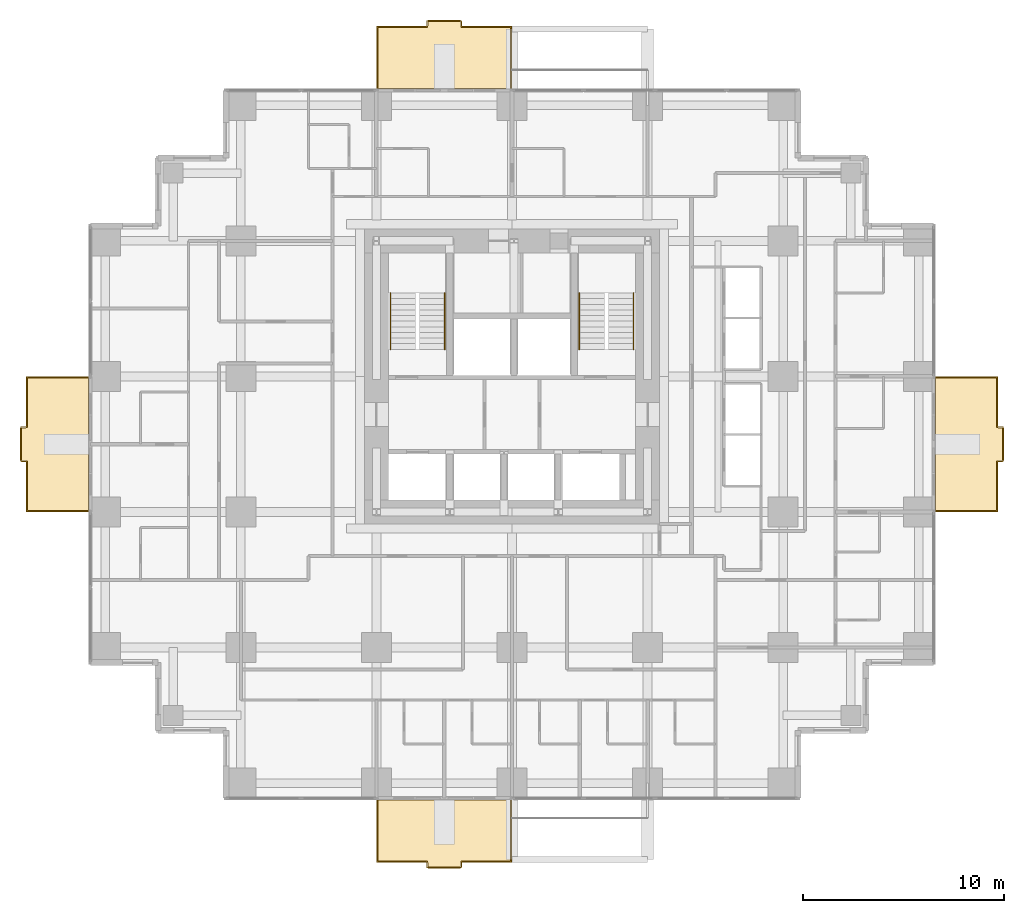
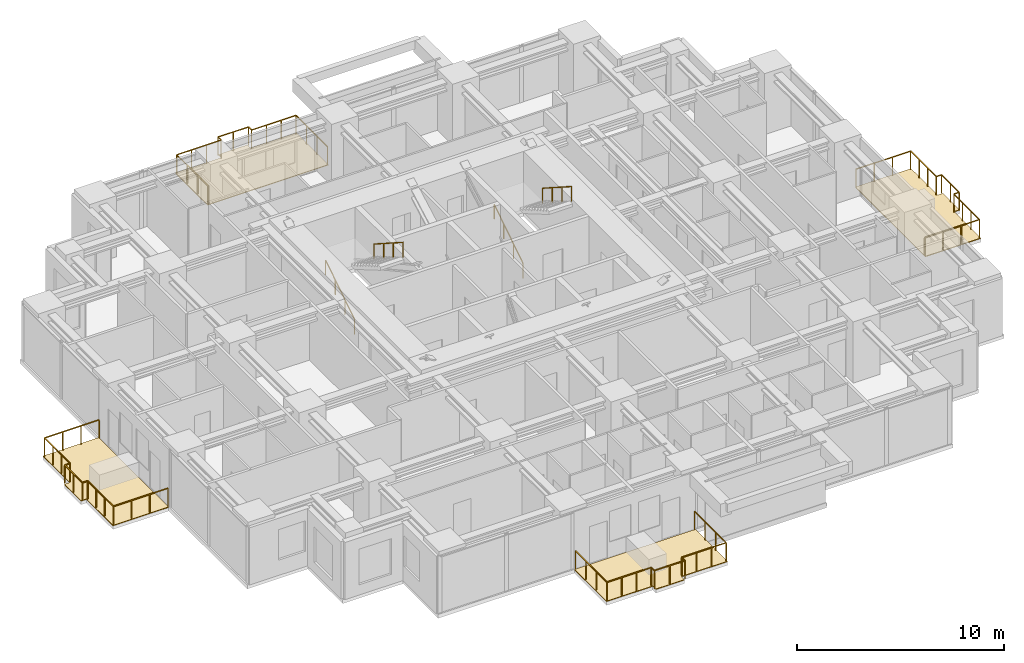
# One storey, part 13 of 13: 8 railings, 4 coverings.
"""IFC4 building model written with IfcOpenShell, lengths in metres."""

from ifc_helpers import new_model, si_unit, direction, frame, origin, origin_2d, place, context, subcontext, project, spatial, polyline, rectangle, outline, extrude, material, layer, layer_set, type_object, element, save


model = new_model("IFC4")

# Units and contexts
model_context = context("Model", 3, precision=1e-05, world=origin(), true_north=direction((0.0, 1.0)))
body_context = subcontext(model_context, "Body", "Model", "MODEL_VIEW")
ifc_project = project(units=[si_unit("LENGTHUNIT", "METRE"), si_unit("AREAUNIT", "SQUARE_METRE"), si_unit("VOLUMEUNIT", "CUBIC_METRE"), si_unit("PLANEANGLEUNIT", "RADIAN"), si_unit("MASSUNIT", "GRAM", prefix="KILO")], contexts=[model_context])

# Site, building, storey
site_placement = place(None, origin())
site = spatial("IfcSite", under=ifc_project, at=site_placement, CompositionType="ELEMENT")
building_placement = place(site_placement, origin())
building = spatial("IfcBuilding", under=site, at=building_placement, Name="Nyansa Garden Tower", CompositionType="ELEMENT")
storey_placement = place(building_placement, frame((0.0, 0.0, 123.300048828125)))
storey = spatial("IfcBuildingStorey", under=building, at=storey_placement, Name="L33", CompositionType="ELEMENT", Elevation=123.300048828125)

# Coverings
ifc_material_1 = material(Name="Hardwood decking on pedestals", Category="wood")
ifc_layer = layer(ifc_material_1, 0.0400390625)
ifc_layer_set = layer_set([ifc_layer], Name="Balcony decking DK40")
covering_type = type_object("IfcCoveringType", Name="Balcony decking DK40", PredefinedType="FLOORING", material=ifc_layer_set)
covering_1_placement = place(storey_placement, frame((0.0, 0.0, -0.0400390625)))
element("IfcCovering", 1, at=covering_1_placement, inside=storey, type_object=covering_type, Name="Balcony decking L33", PredefinedType="FLOORING", context=body_context, shape_type="SweptSolid", body=[
    extrude(outline(polyline([(13.5, -0.85009765625), (20.25, -0.85009765625), (20.25, -3.949951171875), (17.675048828125, -3.949951171875), (17.675048828125, -4.25), (16.074951171875, -4.25), (16.074951171875, -3.949951171875), (13.5, -3.949951171875), (13.5, -0.85009765625)])), origin(), (0.0, 0.0, 1.0), 0.0400390625),
])
covering_2_placement = place(storey_placement, frame((0.0, 0.0, -0.0400390625)))
element("IfcCovering", 2, at=covering_2_placement, inside=storey, type_object=covering_type, Name="Balcony decking L33", PredefinedType="FLOORING", context=body_context, shape_type="SweptSolid", body=[
    extrude(outline(polyline([(41.35009765625, 13.5), (41.35009765625, 20.25), (44.449951171875, 20.25), (44.449951171875, 17.675048828125), (44.75, 17.675048828125), (44.75, 16.074951171875), (44.449951171875, 16.074951171875), (44.449951171875, 13.5), (41.35009765625, 13.5)])), origin(), (0.0, 0.0, 1.0), 0.0400390625),
])
covering_3_placement = place(storey_placement, frame((0.0, 0.0, -0.0400390625)))
element("IfcCovering", 3, at=covering_3_placement, inside=storey, type_object=covering_type, Name="Balcony decking L33", PredefinedType="FLOORING", context=body_context, shape_type="SweptSolid", body=[
    extrude(outline(polyline([(13.5, 34.60009765625), (20.25, 34.60009765625), (20.25, 37.699951171875), (17.675048828125, 37.699951171875), (17.675048828125, 38.0), (16.074951171875, 38.0), (16.074951171875, 37.699951171875), (13.5, 37.699951171875), (13.5, 34.60009765625)])), origin(), (0.0, 0.0, 1.0), 0.0400390625),
])
covering_4_placement = place(storey_placement, frame((0.0, 0.0, -0.0400390625)))
element("IfcCovering", 4, at=covering_4_placement, inside=storey, type_object=covering_type, Name="Balcony decking L33", PredefinedType="FLOORING", context=body_context, shape_type="SweptSolid", body=[
    extrude(outline(polyline([(-0.85009765625, 13.5), (-0.85009765625, 20.25), (-3.949951171875, 20.25), (-3.949951171875, 17.675048828125), (-4.25, 17.675048828125), (-4.25, 16.074951171875), (-3.949951171875, 16.074951171875), (-3.949951171875, 13.5), (-0.85009765625, 13.5)])), origin(), (0.0, 0.0, 1.0), 0.0400390625),
])

# Railings
ifc_material_2 = material(Name="Black powder-coated steel balusters, laminated glass infill", Category="steel")
railing_type_1 = type_object("IfcRailingType", Name="Balcony guard G1", PredefinedType="GUARDRAIL", material=ifc_material_2)
railing_1_placement = place(storey_placement, frame((13.550048828125, -0.85009765625, 0.0)))
element("IfcRailing", 5, at=railing_1_placement, inside=storey, type_object=railing_type_1, Name="Balcony guard L33", PredefinedType="GUARDRAIL", context=body_context, shape_type="SweptSolid", body=[
    extrude(rectangle(XDim=0.048095703125, YDim=0.048095703125, at=origin_2d()), frame((0.0, 0.0, 1.076171875), z_axis=(0.0, -1.0, 0.0), x_axis=(1.0, 0.0, 0.0)), (0.0, 0.0, 1.0), 3.0498046875),
    extrude(rectangle(XDim=0.048095703125, YDim=0.048095703125, at=origin_2d()), frame((0.0, -3.0498046875, 1.076171875), z_axis=(1.0, 0.0, 0.0), x_axis=(0.0, 1.0, 0.0)), (0.0, 0.0, 1.0), 2.474853515625),
    extrude(rectangle(XDim=0.048095703125, YDim=0.048095703125, at=origin_2d()), frame((2.474853515625, -3.0498046875, 1.076171875), z_axis=(0.0, -1.0, 0.0), x_axis=(1.0, 0.0, 0.0)), (0.0, 0.0, 1.0), 0.300048828125),
    extrude(rectangle(XDim=0.048095703125, YDim=0.048095703125, at=origin_2d()), frame((2.474853515625, -3.349853515625, 1.076171875), z_axis=(1.0, 0.0, 0.0), x_axis=(0.0, 1.0, 0.0)), (0.0, 0.0, 1.0), 1.7001953125),
    extrude(rectangle(XDim=0.048095703125, YDim=0.048095703125, at=origin_2d()), frame((4.175048828125, -3.349853515625, 1.076171875), z_axis=(0.0, 1.0, 0.0), x_axis=(-1.0, 0.0, 0.0)), (0.0, 0.0, 1.0), 0.300048828125),
    extrude(rectangle(XDim=0.048095703125, YDim=0.048095703125, at=origin_2d()), frame((4.175048828125, -3.0498046875, 1.076171875), z_axis=(1.0, 0.0, 0.0), x_axis=(0.0, 1.0, 0.0)), (0.0, 0.0, 1.0), 2.474853515625),
    extrude(rectangle(XDim=0.048095703125, YDim=0.048095703125, at=origin_2d()), frame((6.64990234375, -3.0498046875, 1.076171875), z_axis=(0.0, 1.0, 0.0), x_axis=(-1.0, 0.0, 0.0)), (0.0, 0.0, 1.0), 3.0498046875),
    extrude(rectangle(XDim=0.0419921875, YDim=0.0419921875, at=origin_2d()), origin(), (0.0, 0.0, 1.0), 1.052001953125),
    extrude(rectangle(XDim=0.0419921875, YDim=0.0419921875, at=origin_2d()), frame((0.0, -1.0166015625, 0.0)), (0.0, 0.0, 1.0), 1.052001953125),
    extrude(rectangle(XDim=0.0419921875, YDim=0.0419921875, at=origin_2d()), frame((0.0, -2.033203125, 0.0)), (0.0, 0.0, 1.0), 1.052001953125),
    extrude(rectangle(XDim=0.0419921875, YDim=0.0419921875, at=origin_2d()), frame((0.0, -3.0498046875, 0.0)), (0.0, 0.0, 1.0), 1.052001953125),
    extrude(rectangle(XDim=0.0419921875, YDim=0.0419921875, at=origin_2d()), frame((0.824951171875, -3.0498046875, 0.0)), (0.0, 0.0, 1.0), 1.052001953125),
    extrude(rectangle(XDim=0.0419921875, YDim=0.0419921875, at=origin_2d()), frame((1.64990234375, -3.0498046875, 0.0)), (0.0, 0.0, 1.0), 1.052001953125),
    extrude(rectangle(XDim=0.0419921875, YDim=0.0419921875, at=origin_2d()), frame((2.474853515625, -3.0498046875, 0.0)), (0.0, 0.0, 1.0), 1.052001953125),
    extrude(rectangle(XDim=0.0419921875, YDim=0.0419921875, at=origin_2d()), frame((2.474853515625, -3.349853515625, 0.0)), (0.0, 0.0, 1.0), 1.052001953125),
    extrude(rectangle(XDim=0.0419921875, YDim=0.0419921875, at=origin_2d()), frame((3.324951171875, -3.349853515625, 0.0)), (0.0, 0.0, 1.0), 1.052001953125),
    extrude(rectangle(XDim=0.0419921875, YDim=0.0419921875, at=origin_2d()), frame((4.175048828125, -3.349853515625, 0.0)), (0.0, 0.0, 1.0), 1.052001953125),
    extrude(rectangle(XDim=0.0419921875, YDim=0.0419921875, at=origin_2d()), frame((4.175048828125, -3.0498046875, 0.0)), (0.0, 0.0, 1.0), 1.052001953125),
    extrude(rectangle(XDim=0.0419921875, YDim=0.0419921875, at=origin_2d()), frame((5.0, -3.0498046875, 0.0)), (0.0, 0.0, 1.0), 1.052001953125),
    extrude(rectangle(XDim=0.0419921875, YDim=0.0419921875, at=origin_2d()), frame((5.824951171875, -3.0498046875, 0.0)), (0.0, 0.0, 1.0), 1.052001953125),
    extrude(rectangle(XDim=0.0419921875, YDim=0.0419921875, at=origin_2d()), frame((6.64990234375, -3.0498046875, 0.0)), (0.0, 0.0, 1.0), 1.052001953125),
    extrude(rectangle(XDim=0.0419921875, YDim=0.0419921875, at=origin_2d()), frame((6.64990234375, -2.033203125, 0.0)), (0.0, 0.0, 1.0), 1.052001953125),
    extrude(rectangle(XDim=0.0419921875, YDim=0.0419921875, at=origin_2d()), frame((6.64990234375, -1.0166015625, 0.0)), (0.0, 0.0, 1.0), 1.052001953125),
    extrude(rectangle(XDim=0.0419921875, YDim=0.0419921875, at=origin_2d()), frame((6.64990234375, 0.0, 0.0)), (0.0, 0.0, 1.0), 1.052001953125),
])
railing_2_placement = place(storey_placement, frame((41.35009765625, 13.550048828125, 0.0)))
element("IfcRailing", 6, at=railing_2_placement, inside=storey, type_object=railing_type_1, Name="Balcony guard L33", PredefinedType="GUARDRAIL", context=body_context, shape_type="SweptSolid", body=[
    extrude(rectangle(XDim=0.048095703125, YDim=0.048095703125, at=origin_2d()), frame((0.0, 0.0, 1.076171875), z_axis=(1.0, 0.0, 0.0), x_axis=(0.0, 1.0, 0.0)), (0.0, 0.0, 1.0), 3.0498046875),
    extrude(rectangle(XDim=0.048095703125, YDim=0.048095703125, at=origin_2d()), frame((3.0498046875, 0.0, 1.076171875), z_axis=(0.0, 1.0, 0.0), x_axis=(-1.0, 0.0, 0.0)), (0.0, 0.0, 1.0), 2.474853515625),
    extrude(rectangle(XDim=0.048095703125, YDim=0.048095703125, at=origin_2d()), frame((3.0498046875, 2.474853515625, 1.076171875), z_axis=(1.0, 0.0, 0.0), x_axis=(0.0, 1.0, 0.0)), (0.0, 0.0, 1.0), 0.300048828125),
    extrude(rectangle(XDim=0.048095703125, YDim=0.048095703125, at=origin_2d()), frame((3.349853515625, 2.474853515625, 1.076171875), z_axis=(0.0, 1.0, 0.0), x_axis=(-1.0, 0.0, 0.0)), (0.0, 0.0, 1.0), 1.7001953125),
    extrude(rectangle(XDim=0.048095703125, YDim=0.048095703125, at=origin_2d()), frame((3.349853515625, 4.175048828125, 1.076171875), z_axis=(-1.0, 0.0, 0.0), x_axis=(0.0, -1.0, 0.0)), (0.0, 0.0, 1.0), 0.300048828125),
    extrude(rectangle(XDim=0.048095703125, YDim=0.048095703125, at=origin_2d()), frame((3.0498046875, 4.175048828125, 1.076171875), z_axis=(0.0, 1.0, 0.0), x_axis=(-1.0, 0.0, 0.0)), (0.0, 0.0, 1.0), 2.474853515625),
    extrude(rectangle(XDim=0.048095703125, YDim=0.048095703125, at=origin_2d()), frame((3.0498046875, 6.64990234375, 1.076171875), z_axis=(-1.0, 0.0, 0.0), x_axis=(0.0, -1.0, 0.0)), (0.0, 0.0, 1.0), 3.0498046875),
    extrude(rectangle(XDim=0.0419921875, YDim=0.0419921875, at=origin_2d()), origin(), (0.0, 0.0, 1.0), 1.052001953125),
    extrude(rectangle(XDim=0.0419921875, YDim=0.0419921875, at=origin_2d()), frame((1.0166015625, 0.0, 0.0)), (0.0, 0.0, 1.0), 1.052001953125),
    extrude(rectangle(XDim=0.0419921875, YDim=0.0419921875, at=origin_2d()), frame((2.033203125, 0.0, 0.0)), (0.0, 0.0, 1.0), 1.052001953125),
    extrude(rectangle(XDim=0.0419921875, YDim=0.0419921875, at=origin_2d()), frame((3.0498046875, 0.0, 0.0)), (0.0, 0.0, 1.0), 1.052001953125),
    extrude(rectangle(XDim=0.0419921875, YDim=0.0419921875, at=origin_2d()), frame((3.0498046875, 0.824951171875, 0.0)), (0.0, 0.0, 1.0), 1.052001953125),
    extrude(rectangle(XDim=0.0419921875, YDim=0.0419921875, at=origin_2d()), frame((3.0498046875, 1.64990234375, 0.0)), (0.0, 0.0, 1.0), 1.052001953125),
    extrude(rectangle(XDim=0.0419921875, YDim=0.0419921875, at=origin_2d()), frame((3.0498046875, 2.474853515625, 0.0)), (0.0, 0.0, 1.0), 1.052001953125),
    extrude(rectangle(XDim=0.0419921875, YDim=0.0419921875, at=origin_2d()), frame((3.349853515625, 2.474853515625, 0.0)), (0.0, 0.0, 1.0), 1.052001953125),
    extrude(rectangle(XDim=0.0419921875, YDim=0.0419921875, at=origin_2d()), frame((3.349853515625, 3.324951171875, 0.0)), (0.0, 0.0, 1.0), 1.052001953125),
    extrude(rectangle(XDim=0.0419921875, YDim=0.0419921875, at=origin_2d()), frame((3.349853515625, 4.175048828125, 0.0)), (0.0, 0.0, 1.0), 1.052001953125),
    extrude(rectangle(XDim=0.0419921875, YDim=0.0419921875, at=origin_2d()), frame((3.0498046875, 4.175048828125, 0.0)), (0.0, 0.0, 1.0), 1.052001953125),
    extrude(rectangle(XDim=0.0419921875, YDim=0.0419921875, at=origin_2d()), frame((3.0498046875, 5.0, 0.0)), (0.0, 0.0, 1.0), 1.052001953125),
    extrude(rectangle(XDim=0.0419921875, YDim=0.0419921875, at=origin_2d()), frame((3.0498046875, 5.824951171875, 0.0)), (0.0, 0.0, 1.0), 1.052001953125),
    extrude(rectangle(XDim=0.0419921875, YDim=0.0419921875, at=origin_2d()), frame((3.0498046875, 6.64990234375, 0.0)), (0.0, 0.0, 1.0), 1.052001953125),
    extrude(rectangle(XDim=0.0419921875, YDim=0.0419921875, at=origin_2d()), frame((2.033203125, 6.64990234375, 0.0)), (0.0, 0.0, 1.0), 1.052001953125),
    extrude(rectangle(XDim=0.0419921875, YDim=0.0419921875, at=origin_2d()), frame((1.0166015625, 6.64990234375, 0.0)), (0.0, 0.0, 1.0), 1.052001953125),
    extrude(rectangle(XDim=0.0419921875, YDim=0.0419921875, at=origin_2d()), frame((0.0, 6.64990234375, 0.0)), (0.0, 0.0, 1.0), 1.052001953125),
])
railing_3_placement = place(storey_placement, frame((13.550048828125, 34.60009765625, 0.0)))
element("IfcRailing", 7, at=railing_3_placement, inside=storey, type_object=railing_type_1, Name="Balcony guard L33", PredefinedType="GUARDRAIL", context=body_context, shape_type="SweptSolid", body=[
    extrude(rectangle(XDim=0.048095703125, YDim=0.048095703125, at=origin_2d()), frame((0.0, 0.0, 1.076171875), z_axis=(0.0, 1.0, 0.0), x_axis=(-1.0, 0.0, 0.0)), (0.0, 0.0, 1.0), 3.0498046875),
    extrude(rectangle(XDim=0.048095703125, YDim=0.048095703125, at=origin_2d()), frame((0.0, 3.0498046875, 1.076171875), z_axis=(1.0, 0.0, 0.0), x_axis=(0.0, 1.0, 0.0)), (0.0, 0.0, 1.0), 2.474853515625),
    extrude(rectangle(XDim=0.048095703125, YDim=0.048095703125, at=origin_2d()), frame((2.474853515625, 3.0498046875, 1.076171875), z_axis=(0.0, 1.0, 0.0), x_axis=(-1.0, 0.0, 0.0)), (0.0, 0.0, 1.0), 0.300048828125),
    extrude(rectangle(XDim=0.048095703125, YDim=0.048095703125, at=origin_2d()), frame((2.474853515625, 3.349853515625, 1.076171875), z_axis=(1.0, 0.0, 0.0), x_axis=(0.0, 1.0, 0.0)), (0.0, 0.0, 1.0), 1.7001953125),
    extrude(rectangle(XDim=0.048095703125, YDim=0.048095703125, at=origin_2d()), frame((4.175048828125, 3.349853515625, 1.076171875), z_axis=(0.0, -1.0, 0.0), x_axis=(1.0, 0.0, 0.0)), (0.0, 0.0, 1.0), 0.300048828125),
    extrude(rectangle(XDim=0.048095703125, YDim=0.048095703125, at=origin_2d()), frame((4.175048828125, 3.0498046875, 1.076171875), z_axis=(1.0, 0.0, 0.0), x_axis=(0.0, 1.0, 0.0)), (0.0, 0.0, 1.0), 2.474853515625),
    extrude(rectangle(XDim=0.048095703125, YDim=0.048095703125, at=origin_2d()), frame((6.64990234375, 3.0498046875, 1.076171875), z_axis=(0.0, -1.0, 0.0), x_axis=(1.0, 0.0, 0.0)), (0.0, 0.0, 1.0), 3.0498046875),
    extrude(rectangle(XDim=0.0419921875, YDim=0.0419921875, at=origin_2d()), origin(), (0.0, 0.0, 1.0), 1.052001953125),
    extrude(rectangle(XDim=0.0419921875, YDim=0.0419921875, at=origin_2d()), frame((0.0, 1.0166015625, 0.0)), (0.0, 0.0, 1.0), 1.052001953125),
    extrude(rectangle(XDim=0.0419921875, YDim=0.0419921875, at=origin_2d()), frame((0.0, 2.033203125, 0.0)), (0.0, 0.0, 1.0), 1.052001953125),
    extrude(rectangle(XDim=0.0419921875, YDim=0.0419921875, at=origin_2d()), frame((0.0, 3.0498046875, 0.0)), (0.0, 0.0, 1.0), 1.052001953125),
    extrude(rectangle(XDim=0.0419921875, YDim=0.0419921875, at=origin_2d()), frame((0.824951171875, 3.0498046875, 0.0)), (0.0, 0.0, 1.0), 1.052001953125),
    extrude(rectangle(XDim=0.0419921875, YDim=0.0419921875, at=origin_2d()), frame((1.64990234375, 3.0498046875, 0.0)), (0.0, 0.0, 1.0), 1.052001953125),
    extrude(rectangle(XDim=0.0419921875, YDim=0.0419921875, at=origin_2d()), frame((2.474853515625, 3.0498046875, 0.0)), (0.0, 0.0, 1.0), 1.052001953125),
    extrude(rectangle(XDim=0.0419921875, YDim=0.0419921875, at=origin_2d()), frame((2.474853515625, 3.349853515625, 0.0)), (0.0, 0.0, 1.0), 1.052001953125),
    extrude(rectangle(XDim=0.0419921875, YDim=0.0419921875, at=origin_2d()), frame((3.324951171875, 3.349853515625, 0.0)), (0.0, 0.0, 1.0), 1.052001953125),
    extrude(rectangle(XDim=0.0419921875, YDim=0.0419921875, at=origin_2d()), frame((4.175048828125, 3.349853515625, 0.0)), (0.0, 0.0, 1.0), 1.052001953125),
    extrude(rectangle(XDim=0.0419921875, YDim=0.0419921875, at=origin_2d()), frame((4.175048828125, 3.0498046875, 0.0)), (0.0, 0.0, 1.0), 1.052001953125),
    extrude(rectangle(XDim=0.0419921875, YDim=0.0419921875, at=origin_2d()), frame((5.0, 3.0498046875, 0.0)), (0.0, 0.0, 1.0), 1.052001953125),
    extrude(rectangle(XDim=0.0419921875, YDim=0.0419921875, at=origin_2d()), frame((5.824951171875, 3.0498046875, 0.0)), (0.0, 0.0, 1.0), 1.052001953125),
    extrude(rectangle(XDim=0.0419921875, YDim=0.0419921875, at=origin_2d()), frame((6.64990234375, 3.0498046875, 0.0)), (0.0, 0.0, 1.0), 1.052001953125),
    extrude(rectangle(XDim=0.0419921875, YDim=0.0419921875, at=origin_2d()), frame((6.64990234375, 2.033203125, 0.0)), (0.0, 0.0, 1.0), 1.052001953125),
    extrude(rectangle(XDim=0.0419921875, YDim=0.0419921875, at=origin_2d()), frame((6.64990234375, 1.0166015625, 0.0)), (0.0, 0.0, 1.0), 1.052001953125),
    extrude(rectangle(XDim=0.0419921875, YDim=0.0419921875, at=origin_2d()), frame((6.64990234375, 0.0, 0.0)), (0.0, 0.0, 1.0), 1.052001953125),
])
railing_4_placement = place(storey_placement, frame((-0.85009765625, 13.550048828125, 0.0)))
element("IfcRailing", 8, at=railing_4_placement, inside=storey, type_object=railing_type_1, Name="Balcony guard L33", PredefinedType="GUARDRAIL", context=body_context, shape_type="SweptSolid", body=[
    extrude(rectangle(XDim=0.048095703125, YDim=0.048095703125, at=origin_2d()), frame((0.0, 0.0, 1.076171875), z_axis=(-1.0, 0.0, 0.0), x_axis=(0.0, -1.0, 0.0)), (0.0, 0.0, 1.0), 3.0498046875),
    extrude(rectangle(XDim=0.048095703125, YDim=0.048095703125, at=origin_2d()), frame((-3.0498046875, 0.0, 1.076171875), z_axis=(0.0, 1.0, 0.0), x_axis=(-1.0, 0.0, 0.0)), (0.0, 0.0, 1.0), 2.474853515625),
    extrude(rectangle(XDim=0.048095703125, YDim=0.048095703125, at=origin_2d()), frame((-3.0498046875, 2.474853515625, 1.076171875), z_axis=(-1.0, 0.0, 0.0), x_axis=(0.0, -1.0, 0.0)), (0.0, 0.0, 1.0), 0.300048828125),
    extrude(rectangle(XDim=0.048095703125, YDim=0.048095703125, at=origin_2d()), frame((-3.349853515625, 2.474853515625, 1.076171875), z_axis=(0.0, 1.0, 0.0), x_axis=(-1.0, 0.0, 0.0)), (0.0, 0.0, 1.0), 1.7001953125),
    extrude(rectangle(XDim=0.048095703125, YDim=0.048095703125, at=origin_2d()), frame((-3.349853515625, 4.175048828125, 1.076171875), z_axis=(1.0, 0.0, 0.0), x_axis=(0.0, 1.0, 0.0)), (0.0, 0.0, 1.0), 0.300048828125),
    extrude(rectangle(XDim=0.048095703125, YDim=0.048095703125, at=origin_2d()), frame((-3.0498046875, 4.175048828125, 1.076171875), z_axis=(0.0, 1.0, 0.0), x_axis=(-1.0, 0.0, 0.0)), (0.0, 0.0, 1.0), 2.474853515625),
    extrude(rectangle(XDim=0.048095703125, YDim=0.048095703125, at=origin_2d()), frame((-3.0498046875, 6.64990234375, 1.076171875), z_axis=(1.0, 0.0, 0.0), x_axis=(0.0, 1.0, 0.0)), (0.0, 0.0, 1.0), 3.0498046875),
    extrude(rectangle(XDim=0.0419921875, YDim=0.0419921875, at=origin_2d()), origin(), (0.0, 0.0, 1.0), 1.052001953125),
    extrude(rectangle(XDim=0.0419921875, YDim=0.0419921875, at=origin_2d()), frame((-1.0166015625, 0.0, 0.0)), (0.0, 0.0, 1.0), 1.052001953125),
    extrude(rectangle(XDim=0.0419921875, YDim=0.0419921875, at=origin_2d()), frame((-2.033203125, 0.0, 0.0)), (0.0, 0.0, 1.0), 1.052001953125),
    extrude(rectangle(XDim=0.0419921875, YDim=0.0419921875, at=origin_2d()), frame((-3.0498046875, 0.0, 0.0)), (0.0, 0.0, 1.0), 1.052001953125),
    extrude(rectangle(XDim=0.0419921875, YDim=0.0419921875, at=origin_2d()), frame((-3.0498046875, 0.824951171875, 0.0)), (0.0, 0.0, 1.0), 1.052001953125),
    extrude(rectangle(XDim=0.0419921875, YDim=0.0419921875, at=origin_2d()), frame((-3.0498046875, 1.64990234375, 0.0)), (0.0, 0.0, 1.0), 1.052001953125),
    extrude(rectangle(XDim=0.0419921875, YDim=0.0419921875, at=origin_2d()), frame((-3.0498046875, 2.474853515625, 0.0)), (0.0, 0.0, 1.0), 1.052001953125),
    extrude(rectangle(XDim=0.0419921875, YDim=0.0419921875, at=origin_2d()), frame((-3.349853515625, 2.474853515625, 0.0)), (0.0, 0.0, 1.0), 1.052001953125),
    extrude(rectangle(XDim=0.0419921875, YDim=0.0419921875, at=origin_2d()), frame((-3.349853515625, 3.324951171875, 0.0)), (0.0, 0.0, 1.0), 1.052001953125),
    extrude(rectangle(XDim=0.0419921875, YDim=0.0419921875, at=origin_2d()), frame((-3.349853515625, 4.175048828125, 0.0)), (0.0, 0.0, 1.0), 1.052001953125),
    extrude(rectangle(XDim=0.0419921875, YDim=0.0419921875, at=origin_2d()), frame((-3.0498046875, 4.175048828125, 0.0)), (0.0, 0.0, 1.0), 1.052001953125),
    extrude(rectangle(XDim=0.0419921875, YDim=0.0419921875, at=origin_2d()), frame((-3.0498046875, 5.0, 0.0)), (0.0, 0.0, 1.0), 1.052001953125),
    extrude(rectangle(XDim=0.0419921875, YDim=0.0419921875, at=origin_2d()), frame((-3.0498046875, 5.824951171875, 0.0)), (0.0, 0.0, 1.0), 1.052001953125),
    extrude(rectangle(XDim=0.0419921875, YDim=0.0419921875, at=origin_2d()), frame((-3.0498046875, 6.64990234375, 0.0)), (0.0, 0.0, 1.0), 1.052001953125),
    extrude(rectangle(XDim=0.0419921875, YDim=0.0419921875, at=origin_2d()), frame((-2.033203125, 6.64990234375, 0.0)), (0.0, 0.0, 1.0), 1.052001953125),
    extrude(rectangle(XDim=0.0419921875, YDim=0.0419921875, at=origin_2d()), frame((-1.0166015625, 6.64990234375, 0.0)), (0.0, 0.0, 1.0), 1.052001953125),
    extrude(rectangle(XDim=0.0419921875, YDim=0.0419921875, at=origin_2d()), frame((0.0, 6.64990234375, 0.0)), (0.0, 0.0, 1.0), 1.052001953125),
])
ifc_material_3 = material(Name="Black powder-coated steel tube 48 mm", Category="steel")
railing_type_2 = type_object("IfcRailingType", Name="Stair handrail HR1", PredefinedType="HANDRAIL", material=ifc_material_3)
railing_5_placement = place(storey_placement, frame((14.199951171875, 21.60009765625, 0.0)))
element("IfcRailing", 9, at=railing_5_placement, inside=storey, type_object=railing_type_2, Name="Stair S1 handrail L33", PredefinedType="HANDRAIL", context=body_context, shape_type="SweptSolid", body=[
    extrude(rectangle(XDim=0.048095703125, YDim=0.048095703125, at=origin_2d()), frame((0.0, 0.0, 0.8759765625), z_axis=(0.0, 0.841154643086, 0.54079466197), x_axis=(-1.0, 0.0, 0.0)), (0.0, 0.0, 1.0), 3.32861328125),
    extrude(rectangle(XDim=0.0419921875, YDim=0.0419921875, at=origin_2d()), origin(), (0.0, 0.0, 1.0), 0.851806640625),
    extrude(rectangle(XDim=0.0419921875, YDim=0.0419921875, at=origin_2d()), frame((0.0, 0.933349609375, 0.60009765625)), (0.0, 0.0, 1.0), 0.851806640625),
    extrude(rectangle(XDim=0.0419921875, YDim=0.0419921875, at=origin_2d()), frame((0.0, 1.866455078125, 1.199951171875)), (0.0, 0.0, 1.0), 0.851806640625),
    extrude(rectangle(XDim=0.0419921875, YDim=0.0419921875, at=origin_2d()), frame((0.0, 2.7998046875, 1.800048828125)), (0.0, 0.0, 1.0), 0.851806640625),
])
railing_6_placement = place(storey_placement, frame((16.89990234375, 24.39990234375, 1.800048828125)))
element("IfcRailing", 10, at=railing_6_placement, inside=storey, type_object=railing_type_2, Name="Stair S1 handrail L33", PredefinedType="HANDRAIL", context=body_context, shape_type="SweptSolid", body=[
    extrude(rectangle(XDim=0.048095703125, YDim=0.048095703125, at=origin_2d()), frame((0.0, 0.0, 0.8759765625), z_axis=(0.0, -0.841188008214, 0.540742762169), x_axis=(1.0, 0.0, 0.0)), (0.0, 0.0, 1.0), 3.328369140625),
    extrude(rectangle(XDim=0.0419921875, YDim=0.0419921875, at=origin_2d()), origin(), (0.0, 0.0, 1.0), 0.851806640625),
    extrude(rectangle(XDim=0.0419921875, YDim=0.0419921875, at=origin_2d()), frame((0.0, -0.933349609375, 0.599853515625)), (0.0, 0.0, 1.0), 0.851806640625),
    extrude(rectangle(XDim=0.0419921875, YDim=0.0419921875, at=origin_2d()), frame((0.0, -1.866455078125, 1.199951171875)), (0.0, 0.0, 1.0), 0.851806640625),
    extrude(rectangle(XDim=0.0419921875, YDim=0.0419921875, at=origin_2d()), frame((0.0, -2.7998046875, 1.7998046875)), (0.0, 0.0, 1.0), 0.851806640625),
])
railing_7_placement = place(storey_placement, frame((23.60009765625, 21.60009765625, 0.0)))
element("IfcRailing", 11, at=railing_7_placement, inside=storey, type_object=railing_type_2, Name="Stair S2 handrail L33", PredefinedType="HANDRAIL", context=body_context, shape_type="SweptSolid", body=[
    extrude(rectangle(XDim=0.048095703125, YDim=0.048095703125, at=origin_2d()), frame((0.0, 0.0, 0.8759765625), z_axis=(0.0, 0.841154643086, 0.54079466197), x_axis=(-1.0, 0.0, 0.0)), (0.0, 0.0, 1.0), 3.32861328125),
    extrude(rectangle(XDim=0.0419921875, YDim=0.0419921875, at=origin_2d()), origin(), (0.0, 0.0, 1.0), 0.851806640625),
    extrude(rectangle(XDim=0.0419921875, YDim=0.0419921875, at=origin_2d()), frame((0.0, 0.933349609375, 0.60009765625)), (0.0, 0.0, 1.0), 0.851806640625),
    extrude(rectangle(XDim=0.0419921875, YDim=0.0419921875, at=origin_2d()), frame((0.0, 1.866455078125, 1.199951171875)), (0.0, 0.0, 1.0), 0.851806640625),
    extrude(rectangle(XDim=0.0419921875, YDim=0.0419921875, at=origin_2d()), frame((0.0, 2.7998046875, 1.800048828125)), (0.0, 0.0, 1.0), 0.851806640625),
])
railing_8_placement = place(storey_placement, frame((26.300048828125, 24.39990234375, 1.800048828125)))
element("IfcRailing", 12, at=railing_8_placement, inside=storey, type_object=railing_type_2, Name="Stair S2 handrail L33", PredefinedType="HANDRAIL", context=body_context, shape_type="SweptSolid", body=[
    extrude(rectangle(XDim=0.048095703125, YDim=0.048095703125, at=origin_2d()), frame((0.0, 0.0, 0.8759765625), z_axis=(0.0, -0.841188008214, 0.540742762169), x_axis=(1.0, 0.0, 0.0)), (0.0, 0.0, 1.0), 3.328369140625),
    extrude(rectangle(XDim=0.0419921875, YDim=0.0419921875, at=origin_2d()), origin(), (0.0, 0.0, 1.0), 0.851806640625),
    extrude(rectangle(XDim=0.0419921875, YDim=0.0419921875, at=origin_2d()), frame((0.0, -0.933349609375, 0.599853515625)), (0.0, 0.0, 1.0), 0.851806640625),
    extrude(rectangle(XDim=0.0419921875, YDim=0.0419921875, at=origin_2d()), frame((0.0, -1.866455078125, 1.199951171875)), (0.0, 0.0, 1.0), 0.851806640625),
    extrude(rectangle(XDim=0.0419921875, YDim=0.0419921875, at=origin_2d()), frame((0.0, -2.7998046875, 1.7998046875)), (0.0, 0.0, 1.0), 0.851806640625),
])

save(model, "model.ifc")
